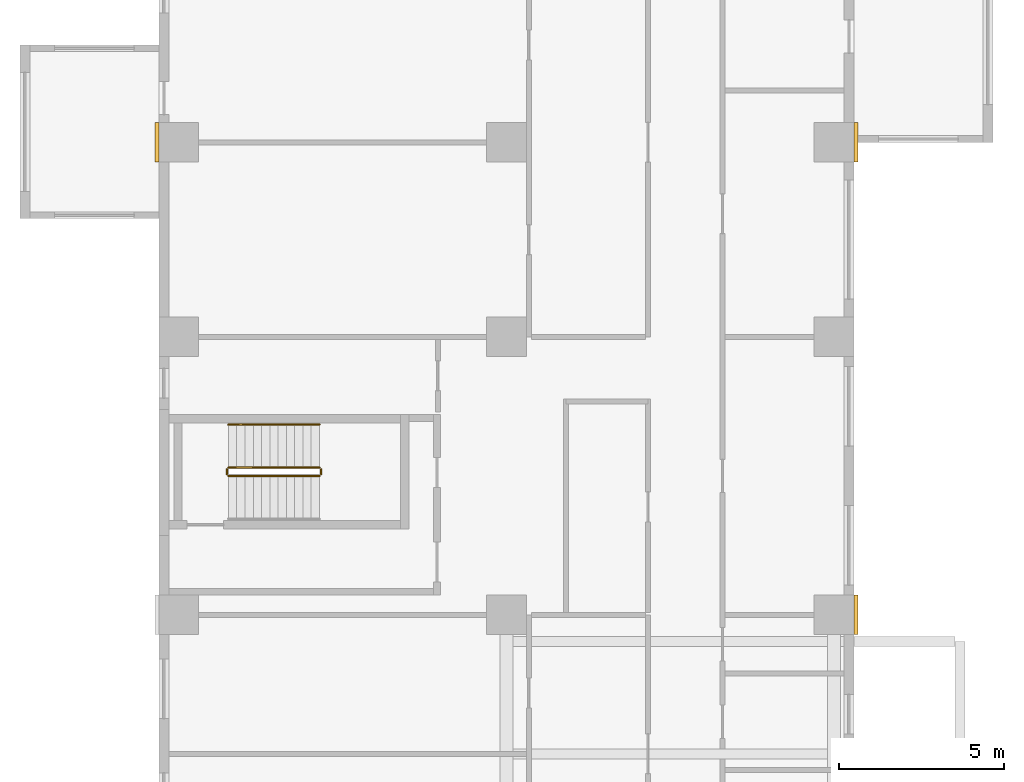
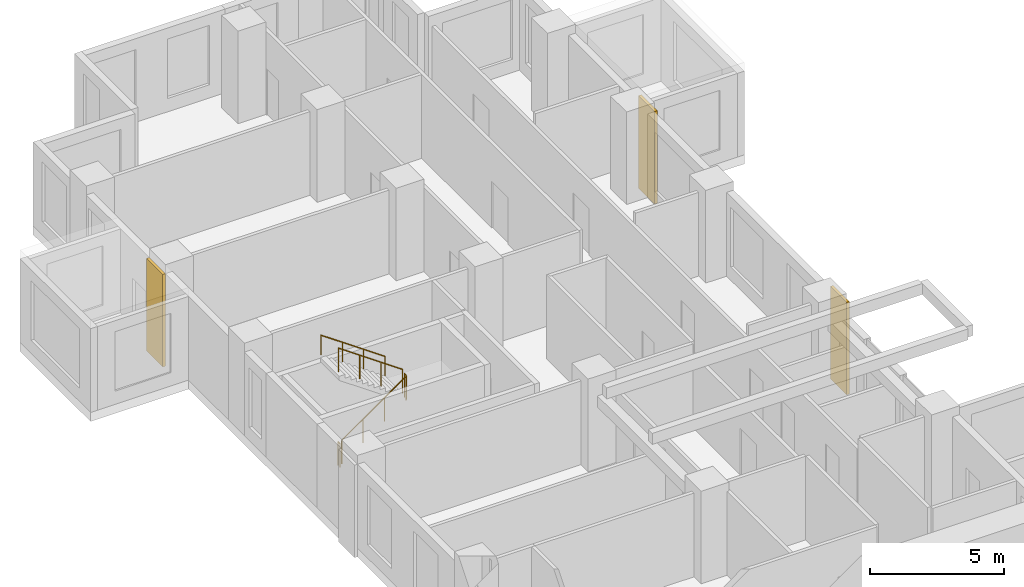
# One storey, part 14 of 15: 5 railings, 3 coverings.
"""IFC4 building model written with IfcOpenShell, lengths in metres."""

import ifcopenshell
import ifcopenshell.guid

model = None  # the IFC model being written
_history = None  # IfcOwnerHistory: only IFC2X3 demands one
_inside = {}  # id of a spatial element -> (the spatial element, [elements in it])
_under = {}  # id of a project, library or spatial element -> (it, [spatial elements below it])
_declared = {}  # id of a project -> (the project, [libraries it declares])
_typed = {}  # id of a type object -> (the type object, [elements of that type])
_made_of = {}  # id of a material, layer set ... -> (it, [elements and type objects made of it])


def new_model(schema):
    """Start an empty IFC model of exactly this schema.

    Asked for "IFC4X3", IfcOpenShell would pick the latest addendum, in which some entities
    have other attributes; the version numbers below select the first issue.
    IFC2X3 requires an IfcOwnerHistory on every rooted entity: one is made here for all.
    """
    global model, _history
    if schema == "IFC4X3":
        model = ifcopenshell.file(schema_version=(4, 3, 0, 0))
    else:
        model = ifcopenshell.file(schema=schema)
    _inside.clear()
    _under.clear()
    _declared.clear()
    _typed.clear()
    _made_of.clear()
    _history = None
    if model.schema == "IFC2X3":
        org = make("IfcOrganization", Name="unknown")
        user = make(
            "IfcPersonAndOrganization",
            ThePerson=make("IfcPerson", FamilyName="unknown"),
            TheOrganization=org,
        )
        app = make(
            "IfcApplication",
            ApplicationDeveloper=org,
            Version="unknown",
            ApplicationFullName="unknown",
            ApplicationIdentifier="unknown",
        )
        _history = make(
            "IfcOwnerHistory",
            OwningUser=user,
            OwningApplication=app,
            ChangeAction="ADDED",
            CreationDate=0,
        )
    return model


def make(cls, **values):
    """One entity of the class cls with the attributes given. An attribute that is None is left unset."""
    return model.create_entity(
        cls, **{name: value for name, value in values.items() if value is not None}
    )


def rooted(cls, **values):
    """An entity with a GlobalId (a new one), such as an element, a storey or a relation."""
    return make(cls, GlobalId=ifcopenshell.guid.new(), OwnerHistory=_history, **values)


def si_unit(unit_type, name, prefix=None):
    """IfcSIUnit, for example si_unit("LENGTHUNIT", "METRE", prefix="MILLI")."""
    return make("IfcSIUnit", UnitType=unit_type, Prefix=prefix, Name=name)


def assignment(units):
    """IfcUnitAssignment: the units of a project."""
    return None if units is None else make("IfcUnitAssignment", Units=units)


def point(xyz):
    """IfcCartesianPoint."""
    return None if xyz is None else make("IfcCartesianPoint", Coordinates=xyz)


def direction(xyz):
    """IfcDirection."""
    return None if xyz is None else make("IfcDirection", DirectionRatios=xyz)


def frame(location, z_axis=None, x_axis=None):
    """IfcAxis2Placement3D, a coordinate frame: its origin and axes. An axis left out is left unset."""
    return make(
        "IfcAxis2Placement3D",
        Location=point(location),
        Axis=direction(z_axis),
        RefDirection=direction(x_axis),
    )


def frame_2d(location, x_axis=None):
    """IfcAxis2Placement2D, a coordinate frame in the plane: its origin and x axis."""
    return make(
        "IfcAxis2Placement2D", Location=point(location), RefDirection=direction(x_axis)
    )


def origin():
    """The frame at (0, 0, 0) with its axes left unset."""
    return frame((0.0, 0.0, 0.0))


def origin_2d():
    """The frame at (0, 0) in the plane with its x axis left unset."""
    return frame_2d((0.0, 0.0))


def place(relative_to, where):
    """IfcLocalPlacement: puts the frame where relative to a parent placement (None: the world)."""
    return make(
        "IfcLocalPlacement", PlacementRelTo=relative_to, RelativePlacement=where
    )


def context(
    kind, dimensions, precision=None, world=None, true_north=None, identifier=None
):
    """IfcGeometricRepresentationContext, for example the 3D "Model" context."""
    return make(
        "IfcGeometricRepresentationContext",
        ContextIdentifier=identifier,
        ContextType=kind,
        CoordinateSpaceDimension=dimensions,
        Precision=precision,
        WorldCoordinateSystem=world,
        TrueNorth=true_north,
    )


def subcontext(parent, identifier, kind, view, scale=None):
    """IfcGeometricRepresentationSubContext, for example "Body" below "Model"."""
    return make(
        "IfcGeometricRepresentationSubContext",
        ContextIdentifier=identifier,
        ContextType=kind,
        ParentContext=parent,
        TargetScale=scale,
        TargetView=view,
    )


def project(units=None, contexts=None):
    """IfcProject with its units and contexts."""
    return rooted(
        "IfcProject",
        Name="project",
        RepresentationContexts=contexts,
        UnitsInContext=assignment(units),
    )


def spatial(cls, under=None, at=None, **own):
    """A site, building, storey or space (cls), placed at a placement, below another one or the project."""
    s = rooted(cls, ObjectPlacement=at, **own)
    if under is not None:
        _under.setdefault(under.id(), (under, []))[1].append(s)
    return s


def profile(cls, at=None, kind="AREA", **sizes):
    """A parametric profile (cls). Its sizes go by their IFC names, for example OverallWidth=200.0."""
    return make(cls, ProfileType=kind, Position=at, **sizes)


def rectangle(**sizes):
    """IfcRectangleProfileDef."""
    return profile("IfcRectangleProfileDef", **sizes)


def circle(**sizes):
    """IfcCircleProfileDef."""
    return profile("IfcCircleProfileDef", **sizes)


def extrude(swept, where, along, depth):
    """IfcExtrudedAreaSolid: the profile swept, set in the frame where, extruded along a direction by depth."""
    return make(
        "IfcExtrudedAreaSolid",
        SweptArea=swept,
        Position=where,
        ExtrudedDirection=direction(along),
        Depth=depth,
    )


def shape(context_of_items, identifier, shape_type, items):
    """IfcShapeRepresentation: the items that make up one representation, for example the "Body"."""
    return make(
        "IfcShapeRepresentation",
        ContextOfItems=context_of_items,
        RepresentationIdentifier=identifier,
        RepresentationType=shape_type,
        Items=items,
    )


def source(mapping_origin, context_of_items, identifier, shape_type, items):
    """IfcRepresentationMap: a shape defined once, which mapped items show again and again."""
    return make(
        "IfcRepresentationMap",
        MappingOrigin=mapping_origin,
        MappedRepresentation=shape(context_of_items, identifier, shape_type, items),
    )


def transform(
    local_origin,
    x_axis=None,
    y_axis=None,
    z_axis=None,
    scale=None,
    scale2=None,
    scale3=None,
    uniform=True,
):
    """IfcCartesianTransformationOperator3D, or its non-uniform kind. x_axis, y_axis, z_axis: its Axis1, 2, 3."""
    if uniform:
        return make(
            "IfcCartesianTransformationOperator3D",
            Axis1=direction(x_axis),
            Axis2=direction(y_axis),
            LocalOrigin=point(local_origin),
            Scale=scale,
            Axis3=direction(z_axis),
        )
    return make(
        "IfcCartesianTransformationOperator3DnonUniform",
        Axis1=direction(x_axis),
        Axis2=direction(y_axis),
        LocalOrigin=point(local_origin),
        Scale=scale,
        Axis3=direction(z_axis),
        Scale2=scale2,
        Scale3=scale3,
    )


def mapped(mapping_source, mapping_target):
    """IfcMappedItem: shows the shape of a source again, moved by a transform."""
    return make(
        "IfcMappedItem", MappingSource=mapping_source, MappingTarget=mapping_target
    )


def material(Name=None, Category=None):
    """IfcMaterial."""
    return make("IfcMaterial", Name=Name, Category=Category)


def made_of(thing, what):
    """Note that an element or type object is made of a material, layer set ...; save() writes the relation."""
    if what is not None:
        _made_of.setdefault(what.id(), (what, []))[1].append(thing)
    return thing


def type_object(cls, material=None, **own):
    """A type object (cls), such as IfcWallType, which elements share."""
    return made_of(rooted(cls, **own), material)


def element(
    cls,
    number,
    at=None,
    inside=None,
    cuts=None,
    type_object=None,
    material=None,
    context=None,
    identifier="Body",
    shape_type=None,
    held_by="IfcProductDefinitionShape",
    body=None,
    shapes=None,
    **own,
):
    """One element of the class cls, such as IfcWall. Its Tag is "e" and its number.

    at: its placement. inside: the storey or other place that contains it. cuts: it is an
    opening in that element (IfcRelVoidsElement). A single representation is given by context,
    identifier, shape_type and body (its items); several are given by shapes. held_by: the class
    of the entity that holds the representations. save() writes the other relations.
    """
    e = rooted(cls, Tag="e%d" % number, ObjectPlacement=at, **own)
    if body is not None:
        shapes = [shape(context, identifier, shape_type, body)]
    if shapes is not None:
        e.Representation = make(held_by, Representations=shapes)
    if inside is not None:
        _inside.setdefault(inside.id(), (inside, []))[1].append(e)
    if cuts is not None:
        rooted(
            "IfcRelVoidsElement", RelatingBuildingElement=cuts, RelatedOpeningElement=e
        )
    if type_object is not None:
        _typed.setdefault(type_object.id(), (type_object, []))[1].append(e)
    return made_of(e, material)


def aggregate(whole, parts):
    """IfcRelAggregates: a whole, such as a stair, and the parts it consists of."""
    return rooted("IfcRelAggregates", RelatingObject=whole, RelatedObjects=parts)


def save(model, path):
    """Write the relations noted so far, then the file.

    IfcRelAggregates (storeys below a building ...), IfcRelContainedInSpatialStructure (elements
    in a storey), IfcRelDefinesByType, IfcRelAssociatesMaterial and IfcRelDeclares: one each for
    every whole, place, type object, material and project.
    """
    for whole, parts in _under.values():
        aggregate(whole, parts)
    for where, things in _inside.values():
        rooted(
            "IfcRelContainedInSpatialStructure",
            RelatedElements=things,
            RelatingStructure=where,
        )
    for kind, things in _typed.values():
        rooted("IfcRelDefinesByType", RelatedObjects=things, RelatingType=kind)
    for what, things in _made_of.values():
        rooted("IfcRelAssociatesMaterial", RelatedObjects=things, RelatingMaterial=what)
    for by, libraries in _declared.values():
        rooted("IfcRelDeclares", RelatingContext=by, RelatedDefinitions=libraries)
    model.write(path)


model = new_model("IFC4")

# Units and contexts
model_context = context("Model", 3, precision=1e-05, world=origin(), true_north=direction((0.0, 1.0)))
body_context = subcontext(model_context, "Body", "Model", "MODEL_VIEW")
ifc_project = project(units=[si_unit("LENGTHUNIT", "METRE"), si_unit("AREAUNIT", "SQUARE_METRE"), si_unit("VOLUMEUNIT", "CUBIC_METRE"), si_unit("PLANEANGLEUNIT", "RADIAN"), si_unit("MASSUNIT", "GRAM", prefix="KILO")], contexts=[model_context])

# Site, building, storey
site_placement = place(None, origin())
site = spatial("IfcSite", under=ifc_project, at=site_placement, CompositionType="ELEMENT")
building_placement = place(site_placement, origin())
building = spatial("IfcBuilding", under=site, at=building_placement, Name="Aurelian Terraces", CompositionType="ELEMENT")
storey_placement = place(building_placement, frame((0.0, 0.0, 61.5)))
storey = spatial("IfcBuildingStorey", under=building, at=storey_placement, Name="L12", CompositionType="ELEMENT", Elevation=61.5)

# Coverings
ifc_material_1 = material(Name="Terracotta rainscreen cladding relief", Category="masonry")
covering_type = type_object("IfcCoveringType", Name="BAGUETTE-TC", PredefinedType="CLADDING", material=ifc_material_1)
shared_shape_1 = source(origin(), body_context, "Body", "SweptSolid", [
    extrude(rectangle(XDim=0.12, YDim=1.2, at=origin_2d()), origin(), (0.0, 0.0, 1.0), 4.2),
])
for number, where, z_axis, x_axis, name in (
    (1, (21.06, 37.8, -0.4), (0.0, 0.0, 1.0), (1.0, 0.0, 0.0), "BAGUETTE pier L12 11"),
    (2, (-0.06, 52.08, -0.4), (0.0, 0.0, 1.0), (1.0, 0.0, 0.0), "BAGUETTE pier L12 12"),
    (3, (21.06, 52.08, -0.4), (0.0, 0.0, 1.0), (1.0, 0.0, 0.0), "BAGUETTE pier L12 13"),
):
    element("IfcCovering", number, at=place(storey_placement, frame(where, z_axis=z_axis, x_axis=x_axis)), inside=storey, type_object=covering_type, Name=name, PredefinedType="CLADDING", context=body_context, shape_type="MappedRepresentation", body=[
        mapped(shared_shape_1, transform((0.0, 0.0, 0.0), scale=1.0)),
    ])

# Railings
ifc_material_2 = material(Name="Stainless steel", Category="steel")
railing_type_1 = type_object("IfcRailingType", Name="Stair guard 1100", PredefinedType="GUARDRAIL", material=ifc_material_2)
shared_shape_2 = source(origin(), body_context, "Body", "SweptSolid", [
    extrude(circle(Radius=0.024, at=origin_2d()), frame((0.0, 0.0, 1.076), z_axis=(0.0, 1.0, 0.0), x_axis=(-1.0, 0.0, 0.0)), (0.0, 0.0, 1.0), 0.15),
    extrude(circle(Radius=0.021, at=origin_2d()), origin(), (0.0, 0.0, 1.0), 1.052),
    extrude(circle(Radius=0.021, at=origin_2d()), frame((0.0, 0.15, 0.0)), (0.0, 0.0, 1.0), 1.052),
])
for number, where, name in (
    (4, (4.9, 42.05, 2.1), "L12 S3 stair guard 2"),
    (5, (2.05, 42.05, 0.0), "L12 S3 stair guard 4"),
):
    element("IfcRailing", number, at=place(storey_placement, frame(where)), inside=storey, type_object=railing_type_1, Name=name, PredefinedType="GUARDRAIL", context=body_context, shape_type="MappedRepresentation", body=[
        mapped(shared_shape_2, transform((0.0, 0.0, 0.0), scale=1.0)),
    ])
shared_shape_3 = source(origin(), body_context, "Body", "SweptSolid", [
    extrude(circle(Radius=0.024, at=origin_2d()), frame((0.0, 0.0, 1.076), z_axis=(0.819231920519, 0.0, 0.573462344363), x_axis=(0.0, 1.0, 0.0)), (0.0, 0.0, 1.0), 3.3568),
    extrude(circle(Radius=0.021, at=origin_2d()), origin(), (0.0, 0.0, 1.0), 1.052),
    extrude(circle(Radius=0.021, at=origin_2d()), frame((0.9167, 0.0, 0.6417)), (0.0, 0.0, 1.0), 1.052),
    extrude(circle(Radius=0.021, at=origin_2d()), frame((1.8333, 0.0, 1.2833)), (0.0, 0.0, 1.0), 1.052),
    extrude(circle(Radius=0.021, at=origin_2d()), frame((2.75, 0.0, 1.925)), (0.0, 0.0, 1.0), 1.052),
])
railing_1_placement = place(storey_placement, frame((2.1, 42.0, 0.175)))
element("IfcRailing", 6, at=railing_1_placement, inside=storey, type_object=railing_type_1, Name="L12 S3 stair guard 1", PredefinedType="GUARDRAIL", context=body_context, shape_type="MappedRepresentation", body=[
    mapped(shared_shape_3, transform((0.0, 0.0, 0.0), scale=1.0)),
])
shared_shape_4 = source(origin(), body_context, "Body", "SweptSolid", [
    extrude(circle(Radius=0.024, at=origin_2d()), frame((0.0, 0.0, 1.076), z_axis=(-0.819231920519, 0.0, 0.573462344363), x_axis=(0.0, -1.0, 0.0)), (0.0, 0.0, 1.0), 3.3568),
    extrude(circle(Radius=0.021, at=origin_2d()), origin(), (0.0, 0.0, 1.0), 1.052),
    extrude(circle(Radius=0.021, at=origin_2d()), frame((-0.9167, 0.0, 0.6417)), (0.0, 0.0, 1.0), 1.052),
    extrude(circle(Radius=0.021, at=origin_2d()), frame((-1.8333, 0.0, 1.2833)), (0.0, 0.0, 1.0), 1.052),
    extrude(circle(Radius=0.021, at=origin_2d()), frame((-2.75, 0.0, 1.925)), (0.0, 0.0, 1.0), 1.052),
])
railing_2_placement = place(storey_placement, frame((4.85, 42.25, 2.275)))
element("IfcRailing", 7, at=railing_2_placement, inside=storey, type_object=railing_type_1, Name="L12 S3 stair guard 3", PredefinedType="GUARDRAIL", context=body_context, shape_type="MappedRepresentation", body=[
    mapped(shared_shape_4, transform((0.0, 0.0, 0.0), scale=1.0)),
])
railing_type_2 = type_object("IfcRailingType", Name="Stair handrail", PredefinedType="HANDRAIL", material=ifc_material_2)
shared_shape_5 = source(origin(), body_context, "Body", "SweptSolid", [
    extrude(circle(Radius=0.024, at=origin_2d()), frame((0.0, 0.0, 0.876), z_axis=(-0.819231920519, 0.0, 0.573462344363), x_axis=(0.0, -1.0, 0.0)), (0.0, 0.0, 1.0), 3.3568),
    extrude(circle(Radius=0.021, at=origin_2d()), origin(), (0.0, 0.0, 1.0), 0.852),
    extrude(circle(Radius=0.021, at=origin_2d()), frame((-0.9167, 0.0, 0.6417)), (0.0, 0.0, 1.0), 0.852),
    extrude(circle(Radius=0.021, at=origin_2d()), frame((-1.8333, 0.0, 1.2833)), (0.0, 0.0, 1.0), 0.852),
    extrude(circle(Radius=0.021, at=origin_2d()), frame((-2.75, 0.0, 1.925)), (0.0, 0.0, 1.0), 0.852),
])
railing_3_placement = place(storey_placement, frame((4.85, 43.55, 2.275)))
element("IfcRailing", 8, at=railing_3_placement, inside=storey, type_object=railing_type_2, Name="L12 S3 stair handrail 2", PredefinedType="HANDRAIL", context=body_context, shape_type="MappedRepresentation", body=[
    mapped(shared_shape_5, transform((0.0, 0.0, 0.0), scale=1.0)),
])

save(model, "model.ifc")
